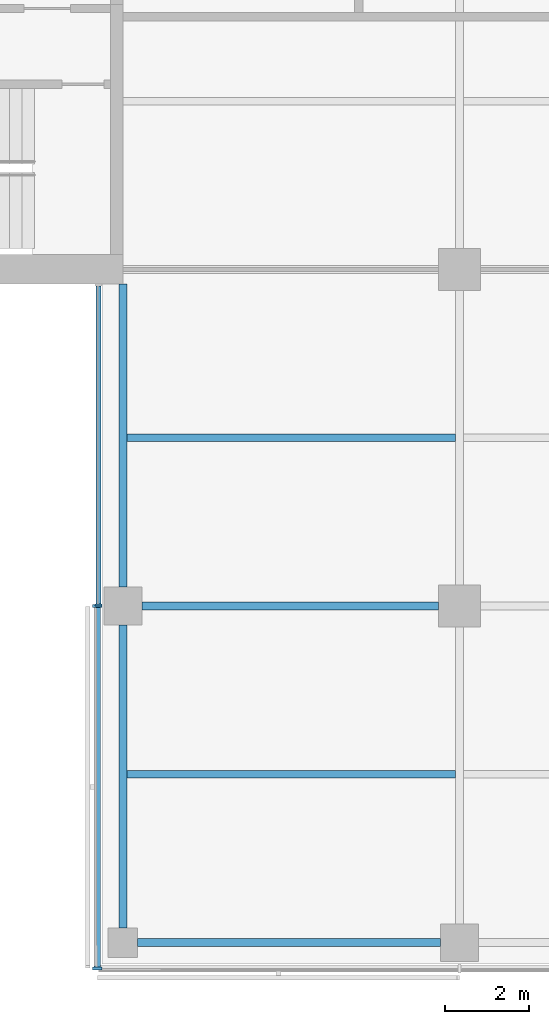
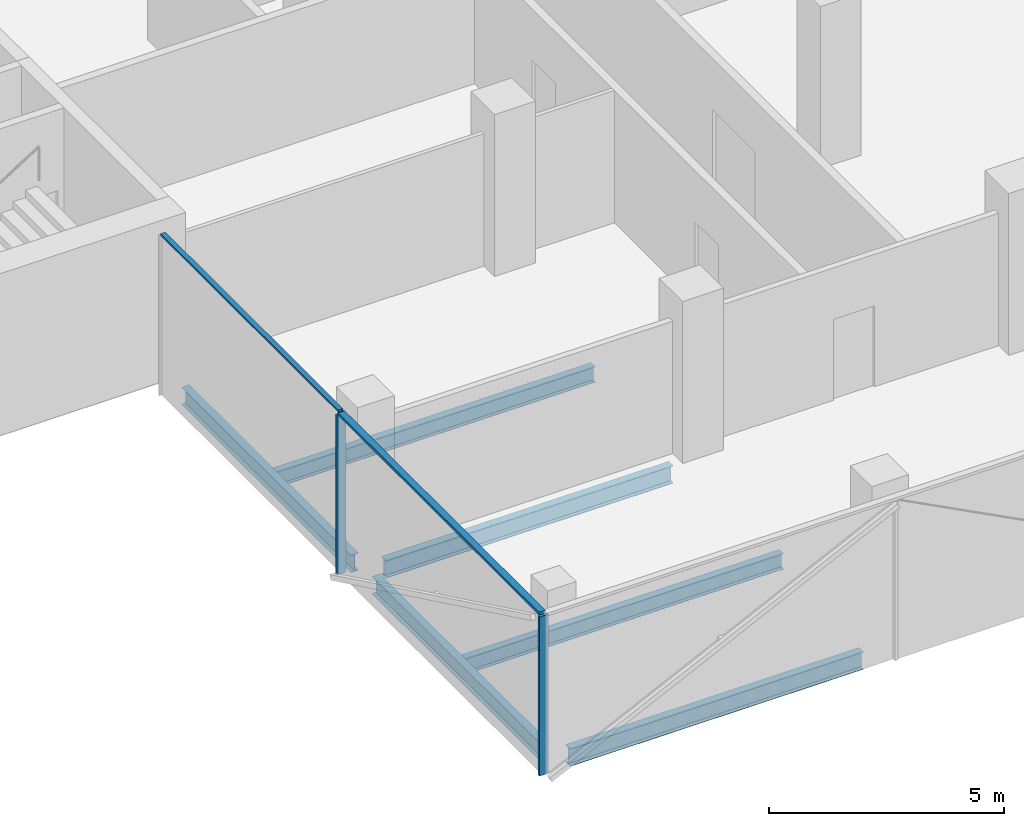
# One storey, part 2 of 22: 6 beams, 5 members, 2 elements without a shape of their own.
"""IFC4 building model written with IfcOpenShell, lengths in metres."""

from ifc_helpers import new_model, si_unit, direction, frame, origin, origin_2d, place, context, subcontext, project, spatial, rectangle, i_section, extrude, material, material_profile, profile_set, type_object, element, aggregate, save


model = new_model("IFC4")

# Units and contexts
model_context = context("Model", 3, precision=1e-05, world=origin(), true_north=direction((0.0, 1.0)))
body_context = subcontext(model_context, "Body", "Model", "MODEL_VIEW")
ifc_project = project(units=[si_unit("LENGTHUNIT", "METRE"), si_unit("AREAUNIT", "SQUARE_METRE"), si_unit("VOLUMEUNIT", "CUBIC_METRE"), si_unit("PLANEANGLEUNIT", "RADIAN"), si_unit("MASSUNIT", "GRAM", prefix="KILO")], contexts=[model_context])

# Site, building, storey
site_placement = place(None, origin())
site = spatial("IfcSite", under=ifc_project, at=site_placement, CompositionType="ELEMENT")
building_placement = place(site_placement, origin())
building = spatial("IfcBuilding", under=site, at=building_placement, Name="Crosswind Convention Tower", CompositionType="ELEMENT")
storey_placement = place(building_placement, frame((0.0, 0.0, 146.300048828125)))
storey = spatial("IfcBuildingStorey", under=building, at=storey_placement, Name="L30", CompositionType="ELEMENT", Elevation=146.300048828125)

# Beams
ifc_material_1 = material(Name="Steel S355", Category="steel")
ifc_material_profile_1 = material_profile(ifc_material_1, i_section(OverallWidth=0.18994140625, OverallDepth=0.45361328125, WebThickness=0.008544921875, FlangeThickness=0.0126953125, FilletRadius=0.01025390625, at=origin_2d()), Name="UB 457x191x67")
ifc_profile_set_1 = profile_set([ifc_material_profile_1], Name="Steel S355")
beam_type_1 = type_object("IfcBeamType", Name="Edge beam UB 457x191x67", PredefinedType="SPANDREL", material=ifc_profile_set_1)
for number, where, z_axis, x_axis, name in (
    (1, (113.0, 72.35009765625, -0.52685546875), (0.0, 1.0, 0.0), (-1.0, 0.0, 0.0), "B16 L30 edge beam 6"),
    (2, (113.0, 80.449951171875, -0.52685546875), (0.0, 1.0, 0.0), (-1.0, 0.0, 0.0), "B16 L30 edge beam 7"),
    (3, (113.35009765625, 72.0, -0.52685546875), (1.0, 0.0, 0.0), (0.0, 1.0, 0.0), "B16 L30 edge beam 10"),
):
    element("IfcBeam", number, at=place(storey_placement, frame(where, z_axis=z_axis, x_axis=x_axis)), inside=storey, type_object=beam_type_1, Name=name, PredefinedType="SPANDREL", context=body_context, shape_type="SweptSolid", body=[
        extrude(i_section(OverallWidth=0.18994140625, OverallDepth=0.45361328125, WebThickness=0.008544921875, FlangeThickness=0.0126953125, FilletRadius=0.01025390625, at=origin_2d()), origin(), (0.0, 0.0, 1.0), 7.199951171875),
    ])
ifc_material_profile_2 = material_profile(ifc_material_1, i_section(OverallWidth=0.19140625, OverallDepth=0.460205078125, WebThickness=0.010009765625, FlangeThickness=0.01611328125, FilletRadius=0.01025390625, at=origin_2d()), Name="UB 457x191x82")
ifc_profile_set_2 = profile_set([ifc_material_profile_2], Name="Steel S355")
beam_type_2 = type_object("IfcBeamType", Name="Girder UB 457x191x82", PredefinedType="BEAM", material=ifc_profile_set_2)
beam_placement = place(storey_placement, frame((113.449951171875, 80.0, -0.530029296875), z_axis=(1.0, 0.0, 0.0), x_axis=(0.0, 1.0, 0.0)))
element("IfcBeam", 4, at=beam_placement, inside=storey, type_object=beam_type_2, Name="B3 L30 girder 1", PredefinedType="BEAM", context=body_context, shape_type="SweptSolid", body=[
    extrude(i_section(OverallWidth=0.19140625, OverallDepth=0.460205078125, WebThickness=0.010009765625, FlangeThickness=0.01611328125, FilletRadius=0.01025390625, at=origin_2d()), origin(), (0.0, 0.0, 1.0), 7.050048828125),
])

# Curtain wall, member
ifc_material_2 = material(Name="Aluminium unitised curtain wall", Category="aluminium")
curtain_wall_type_1 = type_object("IfcCurtainWallType", Name="CORE END SLOT WALL 160", PredefinedType="USERDEFINED", material=ifc_material_2)
curtain_wall_1_placement = place(storey_placement, origin())
curtain_wall_1 = element("IfcCurtainWall", 5, at=curtain_wall_1_placement, inside=storey, type_object=curtain_wall_type_1, Name="CW6 L30 S-W.1-1 slot", ObjectType="UNITISED", PredefinedType="USERDEFINED")
ifc_material_3 = material(Name="Aluminium mullion", Category="aluminium")
ifc_material_profile_3 = material_profile(ifc_material_3, rectangle(XDim=0.159912109375, YDim=0.050048828125, at=origin_2d()), Name="AL 160X50")
ifc_profile_set_3 = profile_set([ifc_material_profile_3], Name="Aluminium mullion")
member_type_1 = type_object("IfcMemberType", Name="MULLION 50X160", PredefinedType="MULLION", material=ifc_profile_set_3)
member_1_placement = place(storey_placement, frame((112.419921875, 80.02490234375, -0.300048828125), z_axis=(0.0, 0.0, 1.0), x_axis=(-1.0, 0.0, 0.0)))
member_1 = element("IfcMember", 6, at=member_1_placement, type_object=member_type_1, Name="CW6 mullion 2", PredefinedType="MULLION", context=body_context, shape_type="SweptSolid", body=[
    extrude(rectangle(XDim=0.159912109375, YDim=0.050048828125, at=origin_2d()), origin(), (0.0, 0.0, 1.0), 4.14990234375),
])

# Curtain wall, members
curtain_wall_type_2 = type_object("IfcCurtainWallType", Name="OFFICE UNITISED WALL 220", PredefinedType="USERDEFINED", material=ifc_material_2)
curtain_wall_2_placement = place(storey_placement, origin())
curtain_wall_2 = element("IfcCurtainWall", 7, at=curtain_wall_2_placement, inside=storey, type_object=curtain_wall_type_2, Name="CW3 L30 S-W 1", ObjectType="UNITISED", PredefinedType="USERDEFINED")
ifc_material_profile_4 = material_profile(ifc_material_3, rectangle(XDim=0.219970703125, YDim=0.070068359375, at=origin_2d()), Name="AL 220X70")
ifc_profile_set_4 = profile_set([ifc_material_profile_4], Name="Aluminium mullion")
member_type_2 = type_object("IfcMemberType", Name="MULLION 70X220", PredefinedType="MULLION", material=ifc_profile_set_4)
member_2_placement = place(storey_placement, frame((112.389892578125, 80.0, -0.300048828125), z_axis=(0.0, 0.0, 1.0), x_axis=(-1.0, 0.0, 0.0)))
member_2 = element("IfcMember", 8, at=member_2_placement, type_object=member_type_2, Name="CW3 mullion 1", PredefinedType="MULLION", context=body_context, shape_type="SweptSolid", body=[
    extrude(rectangle(XDim=0.219970703125, YDim=0.070068359375, at=origin_2d()), origin(), (0.0, 0.0, 1.0), 4.1298828125),
])
member_3_placement = place(storey_placement, frame((112.389892578125, 71.389892578125, -0.300048828125), z_axis=(0.0, 0.0, 1.0), x_axis=(-1.0, 0.0, 0.0)))
member_3 = element("IfcMember", 9, at=member_3_placement, type_object=member_type_2, Name="CW3 mullion 2", PredefinedType="MULLION", context=body_context, shape_type="SweptSolid", body=[
    extrude(rectangle(XDim=0.219970703125, YDim=0.070068359375, at=origin_2d()), origin(), (0.0, 0.0, 1.0), 4.1298828125),
])

# Beams
ifc_material_profile_5 = material_profile(ifc_material_1, i_section(OverallWidth=0.177734375, OverallDepth=0.406494140625, WebThickness=0.0078125, FlangeThickness=0.0126953125, FilletRadius=0.01025390625, at=origin_2d()), Name="UB 406x178x60")
ifc_profile_set_5 = profile_set([ifc_material_profile_5], Name="Steel S355")
beam_type_3 = type_object("IfcBeamType", Name="Secondary beam UB 406x178x60", PredefinedType="JOIST", material=ifc_profile_set_5)
for number, where, z_axis, x_axis, name in (
    (10, (113.094970703125, 76.0, -0.503173828125), (1.0, 0.0, 0.0), (0.0, 1.0, 0.0), "B10 L30 secondary beam 7"),
    (11, (113.094970703125, 84.0, -0.503173828125), (1.0, 0.0, 0.0), (0.0, 1.0, 0.0), "B10 L30 secondary beam 8"),
):
    element("IfcBeam", number, at=place(storey_placement, frame(where, z_axis=z_axis, x_axis=x_axis)), inside=storey, type_object=beam_type_3, Name=name, PredefinedType="JOIST", context=body_context, shape_type="SweptSolid", body=[
        extrude(i_section(OverallWidth=0.177734375, OverallDepth=0.406494140625, WebThickness=0.0078125, FlangeThickness=0.0126953125, FilletRadius=0.01025390625, at=origin_2d()), origin(), (0.0, 0.0, 1.0), 7.809326171875),
    ])

# Member
ifc_material_4 = material(Name="Aluminium transom", Category="aluminium")
ifc_material_profile_6 = material_profile(ifc_material_4, rectangle(XDim=0.1201171875, YDim=0.050048828125, at=origin_2d()), Name="AL 120X50")
ifc_profile_set_6 = profile_set([ifc_material_profile_6], Name="Aluminium transom")
member_type_3 = type_object("IfcMemberType", Name="TRANSOM 50X120", PredefinedType="USERDEFINED", material=ifc_profile_set_6)
member_4_placement = place(storey_placement, frame((112.419921875, 87.60009765625, 3.875), z_axis=(0.0, -1.0, 0.0), x_axis=(1.0, 0.0, 0.0)))
member_4 = element("IfcMember", 12, at=member_4_placement, type_object=member_type_3, Name="CW6 transom", ObjectType="TRANSOM", PredefinedType="USERDEFINED", context=body_context, shape_type="SweptSolid", body=[
    extrude(rectangle(XDim=0.1201171875, YDim=0.050048828125, at=origin_2d()), origin(), (0.0, 0.0, 1.0), 7.550048828125),
])

aggregate(curtain_wall_1, [member_1, member_4])

ifc_material_profile_7 = material_profile(ifc_material_4, rectangle(XDim=0.159912109375, YDim=0.070068359375, at=origin_2d()), Name="AL 160X70")
ifc_profile_set_7 = profile_set([ifc_material_profile_7], Name="Aluminium transom")
member_type_4 = type_object("IfcMemberType", Name="TRANSOM 70X160", PredefinedType="USERDEFINED", material=ifc_profile_set_7)
member_5_placement = place(storey_placement, frame((112.389892578125, 79.965087890625, 3.864990234375), z_axis=(0.0, -1.0, 0.0), x_axis=(1.0, 0.0, 0.0)))
member_5 = element("IfcMember", 13, at=member_5_placement, type_object=member_type_4, Name="CW3 transom", ObjectType="TRANSOM", PredefinedType="USERDEFINED", context=body_context, shape_type="SweptSolid", body=[
    extrude(rectangle(XDim=0.159912109375, YDim=0.070068359375, at=origin_2d()), origin(), (0.0, 0.0, 1.0), 8.5400390625),
])

aggregate(curtain_wall_2, [member_2, member_3, member_5])

save(model, "model.ifc")
